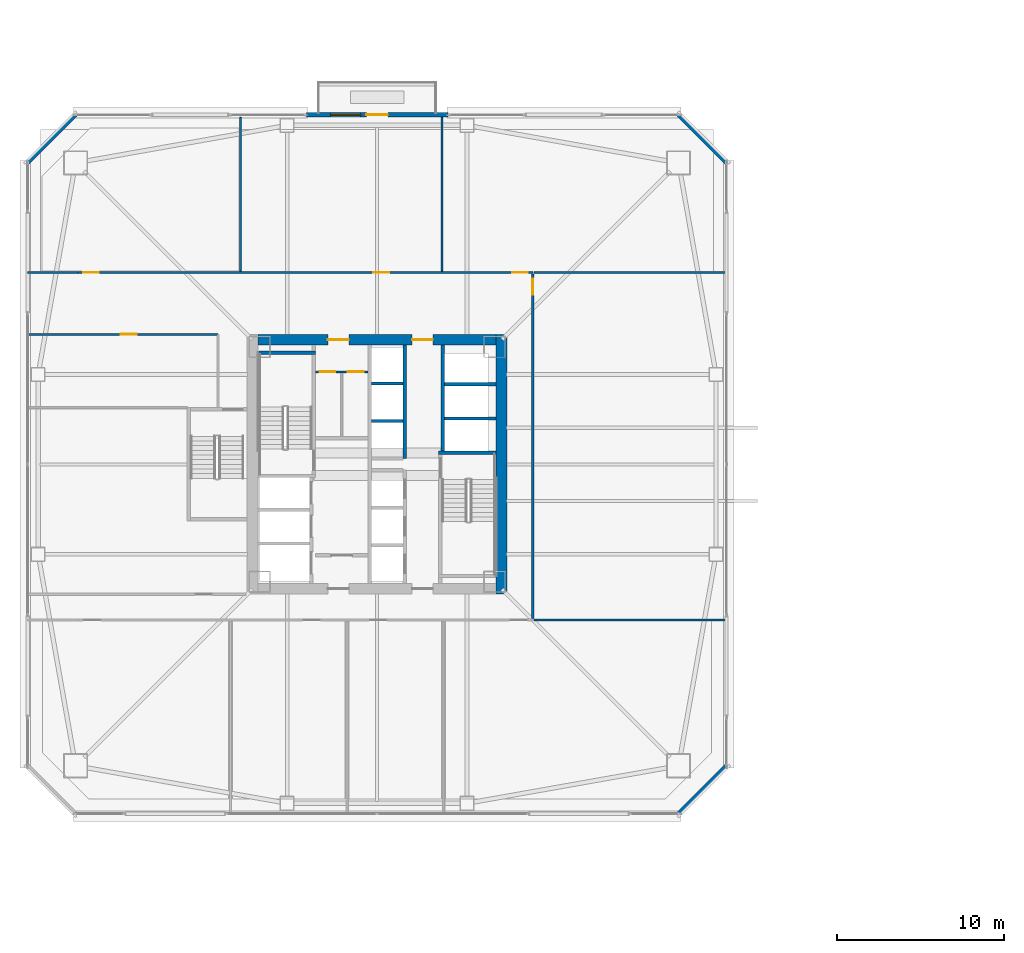
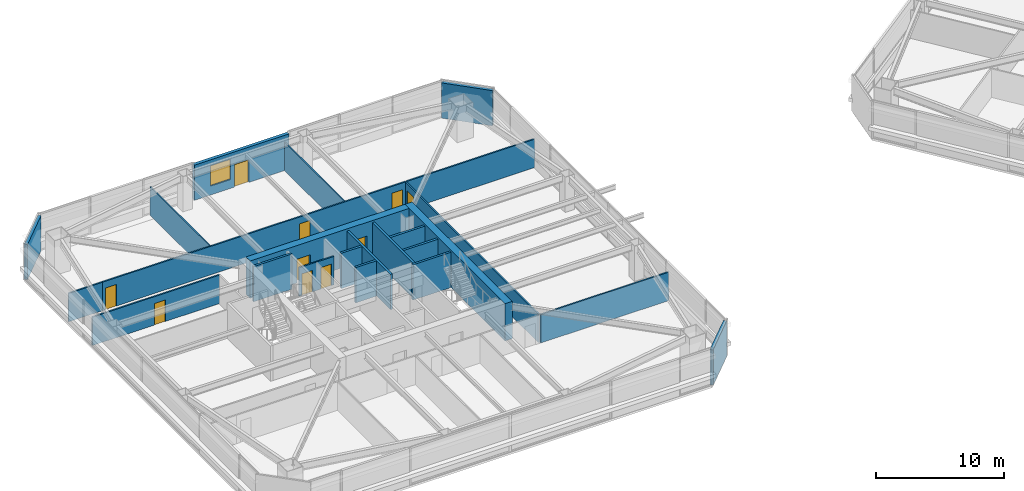
# One storey, part 37 of 47: 23 walls, 10 doors, 1 window, 11 openings.
"""IFC4 building model written with IfcOpenShell, lengths in metres."""

from ifc_helpers import new_model, si_unit, direction, frame, frame_2d, origin, place, context, subcontext, project, spatial, rectangle, extrude, material, layer, layer_set, type_object, element, fill, save


model = new_model("IFC4")

# Units and contexts
model_context = context("Model", 3, precision=1e-05, world=origin(), true_north=direction((0.0, 1.0)))
body_context = subcontext(model_context, "Body", "Model", "MODEL_VIEW")
ifc_project = project(units=[si_unit("LENGTHUNIT", "METRE"), si_unit("AREAUNIT", "SQUARE_METRE"), si_unit("VOLUMEUNIT", "CUBIC_METRE"), si_unit("PLANEANGLEUNIT", "RADIAN"), si_unit("MASSUNIT", "GRAM", prefix="KILO")], contexts=[model_context])

# Site, building, storey
site_placement = place(None, origin())
site = spatial("IfcSite", under=ifc_project, at=site_placement, CompositionType="ELEMENT")
building_placement = place(site_placement, origin())
building = spatial("IfcBuilding", under=site, at=building_placement, Name="Tashvorn Skyway Center", CompositionType="ELEMENT")
storey_placement = place(building_placement, frame((0.0, 0.0, 81.39990234375)))
storey = spatial("IfcBuildingStorey", under=building, at=storey_placement, Name="L21", CompositionType="ELEMENT", Elevation=81.39990234375)

# Wall
ifc_material_1 = material(Name="Concrete C60/75", Category="concrete")
ifc_layer_1 = layer(ifc_material_1, 0.64990234375)
ifc_layer_set_1 = layer_set([ifc_layer_1], Name="Concrete C60/75")
wall_type_1 = type_object("IfcWallType", Name="WALL-CORE-650", PredefinedType="SHEAR", material=ifc_layer_set_1)
wall_1_placement = place(storey_placement, frame((49.47509765625, 39.800048828125, 0.0), z_axis=(0.0, 0.0, 1.0), x_axis=(0.0, -1.0, 0.0)))
element("IfcWall", 1, at=wall_1_placement, inside=storey, type_object=wall_type_1, Name="Tower 1 L21 East Core Shear Wall", PredefinedType="SHEAR", context=body_context, shape_type="SweptSolid", body=[
    extrude(rectangle(XDim=15.60009765625, YDim=0.64990234375, at=frame_2d((7.800048828125, 0.0))), origin(), (0.0, 0.0, 1.0), 3.550048828125),
])

# Wall, openings, doors
wall_2_placement = place(storey_placement, frame((34.85009765625, 39.47509765625, 0.0), z_axis=(0.0, 0.0, 1.0), x_axis=(1.0, 0.0, 0.0)))
wall_2 = element("IfcWall", 2, at=wall_2_placement, inside=storey, type_object=wall_type_1, Name="Tower 1 L21 North Core Shear Wall", PredefinedType="SHEAR", context=body_context, shape_type="SweptSolid", body=[
    extrude(rectangle(XDim=14.2998046875, YDim=0.64990234375, at=frame_2d((7.14990234375, 0.0))), origin(), (0.0, 0.0, 1.0), 3.550048828125),
])
opening_1_placement = place(wall_2_placement, frame((4.199951171875, 0.0, 0.0)))
opening_1 = element("IfcOpeningElement", 3, at=opening_1_placement, cuts=wall_2, Name="Opening D-FFL-1250", PredefinedType="OPENING", context=body_context, shape_type="SweptSolid", body=[
    extrude(rectangle(XDim=1.25, YDim=2.25, at=frame_2d((0.625, 1.125))), frame((0.0, 0.3349609375, 0.0), z_axis=(0.0, -1.0, 0.0), x_axis=(1.0, 0.0, 0.0)), (0.0, 0.0, 1.0), 0.669921875),
])
opening_2_placement = place(wall_2_placement, frame((9.25, 0.0, 0.0)))
opening_2 = element("IfcOpeningElement", 4, at=opening_2_placement, cuts=wall_2, Name="Opening D-FFL-1250", PredefinedType="OPENING", context=body_context, shape_type="SweptSolid", body=[
    extrude(rectangle(XDim=1.25, YDim=2.25, at=frame_2d((0.625, 1.125))), frame((0.0, 0.3349609375, 0.0), z_axis=(0.0, -1.0, 0.0), x_axis=(1.0, 0.0, 0.0)), (0.0, 0.0, 1.0), 0.669921875),
])
ifc_material_2 = material(Name="Hollow galvanized steel fire door assembly", Category="steel")
door_type_1 = type_object("IfcDoorType", Name="DOOR-FFL-1250", OperationType="NOTDEFINED", PredefinedType="DOOR", material=ifc_material_2)
door_1_placement = place(opening_1_placement, origin())
door_1 = element("IfcDoor", 5, at=door_1_placement, inside=storey, type_object=door_type_1, Name="Tower 1 L21 Core North Service Lobby Door", OperationType="SINGLE_SWING_LEFT", OverallHeight=2.25, OverallWidth=1.25, PredefinedType="DOOR", context=body_context, shape_type="SweptSolid", body=[
    extrude(rectangle(XDim=1.25, YDim=2.25, at=frame_2d((0.625, 1.125))), frame((0.0, 0.02490234375, 0.0), z_axis=(0.0, -1.0, 0.0), x_axis=(1.0, 0.0, 0.0)), (0.0, 0.0, 1.0), 0.050048828125),
])
fill(opening_1, door_1)
door_2_placement = place(opening_2_placement, origin())
door_2 = element("IfcDoor", 6, at=door_2_placement, inside=storey, type_object=door_type_1, Name="Tower 1 L21 Core North Lift Lobby Door", OperationType="SINGLE_SWING_RIGHT", OverallHeight=2.25, OverallWidth=1.25, PredefinedType="DOOR", context=body_context, shape_type="SweptSolid", body=[
    extrude(rectangle(XDim=1.25, YDim=2.25, at=frame_2d((0.625, 1.125))), frame((0.0, 0.02490234375, 0.0), z_axis=(0.0, -1.0, 0.0), x_axis=(1.0, 0.0, 0.0)), (0.0, 0.0, 1.0), 0.050048828125),
])
fill(opening_2, door_2)

# Wall, openings, door, window
ifc_material_3 = material(Name="Precast concrete C40/50", Category="concrete")
ifc_layer_2 = layer(ifc_material_3, 0.280029296875)
ifc_layer_set_2 = layer_set([ifc_layer_2], Name="Precast concrete C40/50")
wall_type_2 = type_object("IfcWallType", Name="WALL-EXT-280", PredefinedType="SOLIDWALL", material=ifc_layer_set_2)
wall_3_placement = place(storey_placement, frame((37.75, 52.97998046875, 0.0), z_axis=(0.0, 0.0, 1.0), x_axis=(1.0, 0.0, 0.0)))
wall_3 = element("IfcWall", 7, at=wall_3_placement, inside=storey, type_object=wall_type_2, Name="Tower 1 L21 North Terrace Portal Wall", PredefinedType="SOLIDWALL", context=body_context, shape_type="SweptSolid", body=[
    extrude(rectangle(XDim=8.5, YDim=0.280029296875, at=frame_2d((4.25, 0.0))), origin(), (0.0, 0.0, 1.0), 3.35009765625),
])
opening_3_placement = place(wall_3_placement, frame((3.60009765625, 0.0, 0.0)))
opening_3 = element("IfcOpeningElement", 8, at=opening_3_placement, cuts=wall_3, Name="Opening D-TER-1300", PredefinedType="OPENING", context=body_context, shape_type="SweptSolid", body=[
    extrude(rectangle(XDim=1.300048828125, YDim=2.14990234375, at=frame_2d((0.64990234375, 1.074951171875))), frame((0.0, 0.14990234375, 0.0), z_axis=(0.0, -1.0, 0.0), x_axis=(1.0, 0.0, 0.0)), (0.0, 0.0, 1.0), 0.300048828125),
])
opening_4_placement = place(wall_3_placement, frame((1.4599609375, 0.0, 0.85009765625)))
opening_4 = element("IfcOpeningElement", 9, at=opening_4_placement, cuts=wall_3, Name="Opening WIN-1800", PredefinedType="OPENING", context=body_context, shape_type="SweptSolid", body=[
    extrude(rectangle(XDim=1.800048828125, YDim=1.919921875, at=frame_2d((0.89990234375, 0.9599609375))), frame((0.0, 0.14990234375, 0.0), z_axis=(0.0, -1.0, 0.0), x_axis=(1.0, 0.0, 0.0)), (0.0, 0.0, 1.0), 0.300048828125),
])
ifc_material_4 = material(Name="Thermally broken bronze-anodized aluminium 6063-T6", Category="aluminium")
door_type_2 = type_object("IfcDoorType", Name="DOOR-TERR-1300", OperationType="NOTDEFINED", PredefinedType="DOOR", material=ifc_material_4)
door_3_placement = place(opening_3_placement, origin())
door_3 = element("IfcDoor", 10, at=door_3_placement, inside=storey, type_object=door_type_2, Name="Tower 1 L21 Terrace Access Door", OperationType="SINGLE_SWING_LEFT", OverallHeight=2.14990234375, OverallWidth=1.300048828125, PredefinedType="DOOR", context=body_context, shape_type="SweptSolid", body=[
    extrude(rectangle(XDim=1.300048828125, YDim=2.14990234375, at=frame_2d((0.64990234375, 1.074951171875))), frame((0.0, 0.02490234375, 0.0), z_axis=(0.0, -1.0, 0.0), x_axis=(1.0, 0.0, 0.0)), (0.0, 0.0, 1.0), 0.050048828125),
])
fill(opening_3, door_3)
ifc_material_5 = material(Name="Low-E solar-control double insulating safety glass", Category="glass")
window_type = type_object("IfcWindowType", Name="WIN-TERR-1800", PartitioningType="SINGLE_PANEL", PredefinedType="WINDOW", material=ifc_material_5)
window_placement = place(opening_4_placement, origin())
window = element("IfcWindow", 11, at=window_placement, inside=storey, type_object=window_type, Name="Tower 1 L21 Terrace Window", OverallHeight=1.919921875, OverallWidth=1.800048828125, PartitioningType="SINGLE_PANEL", PredefinedType="WINDOW", context=body_context, shape_type="SweptSolid", body=[
    extrude(rectangle(XDim=1.800048828125, YDim=1.919921875, at=frame_2d((0.89990234375, 0.9599609375))), frame((0.0, 0.030029296875, 0.0), z_axis=(0.0, -1.0, 0.0), x_axis=(1.0, 0.0, 0.0)), (0.0, 0.0, 1.0), 0.06005859375),
])
fill(opening_4, window)

# Walls
for number, where, z_axis, x_axis, name in (
    (12, (21.0, 50.10009765625, 0.0), (0.0, 0.0, 1.0), (0.707106781187, 0.707106781187, 0.0), "Tower 1 L21 NW Precast Chamfer Wall"),
    (13, (60.10009765625, 53.0, 0.0), (0.0, 0.0, 1.0), (0.707106781187, -0.707106781187, 0.0), "Tower 1 L21 NE Precast Chamfer Wall"),
    (14, (63.0, 13.89990234375, 0.0), (0.0, 0.0, 1.0), (-0.707106781187, -0.707106781187, 0.0), "Tower 1 L21 SE Precast Chamfer Wall"),
):
    element("IfcWall", number, at=place(storey_placement, frame(where, z_axis=z_axis, x_axis=x_axis)), inside=storey, type_object=wall_type_2, Name=name, PredefinedType="SOLIDWALL", context=body_context, shape_type="SweptSolid", body=[
        extrude(rectangle(XDim=4.10107421875, YDim=0.280029296875, at=frame_2d((2.050537109375, 0.0))), origin(), (0.0, 0.0, 1.0), 3.35009765625),
    ])
ifc_material_6 = material(Name="Gypsum board on cold-formed steel stud framing", Category="steel")
ifc_layer_3 = layer(ifc_material_6, 0.110107421875)
ifc_layer_set_3 = layer_set([ifc_layer_3], Name="Gypsum board on cold-formed steel stud framing")
wall_type_3 = type_object("IfcWallType", Name="WALL-PART-110", PredefinedType="PARTITIONING", material=ifc_layer_set_3)
for number, where, z_axis, x_axis, name in (
    (15, (33.800048828125, 43.60009765625, 0.0), (0.0, 0.0, 1.0), (0.0, 1.0, 0.0), "Tower 1 L21 North Suite Partition 1"),
    (16, (45.89990234375, 43.60009765625, 0.0), (0.0, 0.0, 1.0), (0.0, 1.0, 0.0), "Tower 1 L21 North Suite Partition 2"),
):
    element("IfcWall", number, at=place(storey_placement, frame(where, z_axis=z_axis, x_axis=x_axis)), inside=storey, type_object=wall_type_3, Name=name, PredefinedType="PARTITIONING", context=body_context, shape_type="SweptSolid", body=[
        extrude(rectangle(XDim=9.22998046875, YDim=0.110107421875, at=frame_2d((4.614990234375, 0.0))), origin(), (0.0, 0.0, 1.0), 2.703125),
    ])

# Wall, openings, doors
ifc_layer_4 = layer(ifc_material_6, 0.135009765625)
ifc_layer_set_4 = layer_set([ifc_layer_4], Name="Gypsum board on cold-formed steel stud framing")
wall_type_4 = type_object("IfcWallType", Name="WALL-PART-135", PredefinedType="PARTITIONING", material=ifc_layer_set_4)
wall_4_placement = place(storey_placement, frame((24.050048828125, 43.52001953125, 0.0), z_axis=(0.0, 0.0, 1.0), x_axis=(1.0, 0.0, 0.0)))
wall_4 = element("IfcWall", 17, at=wall_4_placement, inside=storey, type_object=wall_type_4, Name="Tower 1 L21 North Suite Wall", PredefinedType="PARTITIONING", context=body_context, shape_type="SweptSolid", body=[
    extrude(rectangle(XDim=27.300048828125, YDim=0.135009765625, at=frame_2d((13.64990234375, 0.0))), origin(), (0.0, 0.0, 1.0), 2.703125),
])
opening_5_placement = place(wall_4_placement, frame((0.300048828125, 0.0, 0.0)))
opening_5 = element("IfcOpeningElement", 18, at=opening_5_placement, cuts=wall_4, Name="Opening D-INT-950", PredefinedType="OPENING", context=body_context, shape_type="SweptSolid", body=[
    extrude(rectangle(XDim=0.949951171875, YDim=2.050048828125, at=frame_2d((0.47509765625, 1.02490234375))), frame((0.0, 0.077392578125, 0.0), z_axis=(0.0, -1.0, 0.0), x_axis=(1.0, 0.0, 0.0)), (0.0, 0.0, 1.0), 0.155029296875),
])
opening_6_placement = place(wall_4_placement, frame((17.732421875, 0.0, 0.0)))
opening_6 = element("IfcOpeningElement", 19, at=opening_6_placement, cuts=wall_4, Name="Opening D-INT-950", PredefinedType="OPENING", context=body_context, shape_type="SweptSolid", body=[
    extrude(rectangle(XDim=0.949951171875, YDim=2.050048828125, at=frame_2d((0.47509765625, 1.02490234375))), frame((0.0, 0.077392578125, 0.0), z_axis=(0.0, -1.0, 0.0), x_axis=(1.0, 0.0, 0.0)), (0.0, 0.0, 1.0), 0.155029296875),
])
opening_7_placement = place(wall_4_placement, frame((26.050048828125, 0.0, 0.0)))
opening_7 = element("IfcOpeningElement", 20, at=opening_7_placement, cuts=wall_4, Name="Opening D-INT-950", PredefinedType="OPENING", context=body_context, shape_type="SweptSolid", body=[
    extrude(rectangle(XDim=0.949951171875, YDim=2.050048828125, at=frame_2d((0.47509765625, 1.02490234375))), frame((0.0, 0.077392578125, 0.0), z_axis=(0.0, -1.0, 0.0), x_axis=(1.0, 0.0, 0.0)), (0.0, 0.0, 1.0), 0.155029296875),
])
ifc_material_7 = material(Name="Solid-core architectural oak veneer door")
door_type_3 = type_object("IfcDoorType", Name="DOOR-INT-950", OperationType="NOTDEFINED", PredefinedType="DOOR", material=ifc_material_7)
door_4_placement = place(opening_5_placement, origin())
door_4 = element("IfcDoor", 21, at=door_4_placement, inside=storey, type_object=door_type_3, Name="Tower 1 L21 Executive Suite Door", OperationType="SINGLE_SWING_RIGHT", OverallHeight=2.050048828125, OverallWidth=0.949951171875, PredefinedType="DOOR", context=body_context, shape_type="SweptSolid", body=[
    extrude(rectangle(XDim=0.949951171875, YDim=2.050048828125, at=frame_2d((0.47509765625, 1.02490234375))), frame((0.0, 0.02490234375, 0.0), z_axis=(0.0, -1.0, 0.0), x_axis=(1.0, 0.0, 0.0)), (0.0, 0.0, 1.0), 0.050048828125),
])
fill(opening_5, door_4)
door_5_placement = place(opening_6_placement, origin())
door_5 = element("IfcDoor", 22, at=door_5_placement, inside=storey, type_object=door_type_3, Name="Tower 1 L21 Executive Suite Door", OperationType="SINGLE_SWING_LEFT", OverallHeight=2.050048828125, OverallWidth=0.949951171875, PredefinedType="DOOR", context=body_context, shape_type="SweptSolid", body=[
    extrude(rectangle(XDim=0.949951171875, YDim=2.050048828125, at=frame_2d((0.47509765625, 1.02490234375))), frame((0.0, 0.02490234375, 0.0), z_axis=(0.0, -1.0, 0.0), x_axis=(1.0, 0.0, 0.0)), (0.0, 0.0, 1.0), 0.050048828125),
])
fill(opening_6, door_5)
door_6_placement = place(opening_7_placement, origin())
door_6 = element("IfcDoor", 23, at=door_6_placement, inside=storey, type_object=door_type_3, Name="Tower 1 L21 Catering Pantry Door", OperationType="SINGLE_SWING_RIGHT", OverallHeight=2.050048828125, OverallWidth=0.949951171875, PredefinedType="DOOR", context=body_context, shape_type="SweptSolid", body=[
    extrude(rectangle(XDim=0.949951171875, YDim=2.050048828125, at=frame_2d((0.47509765625, 1.02490234375))), frame((0.0, 0.02490234375, 0.0), z_axis=(0.0, -1.0, 0.0), x_axis=(1.0, 0.0, 0.0)), (0.0, 0.0, 1.0), 0.050048828125),
])
fill(opening_7, door_6)

# Wall
wall_5_placement = place(storey_placement, frame((21.02001953125, 43.52001953125, 0.0), z_axis=(0.0, 0.0, 1.0), x_axis=(1.0, 0.0, 0.0)))
element("IfcWall", 24, at=wall_5_placement, inside=storey, type_object=wall_type_4, Name="Tower 1 L21 North-West Suite South Wall", PredefinedType="PARTITIONING", context=body_context, shape_type="SweptSolid", body=[
    extrude(rectangle(XDim=3.030029296875, YDim=0.135009765625, at=frame_2d((1.51513671875, 0.0))), origin(), (0.0, 0.0, 1.0), 2.703125),
])

# Wall, opening, door
wall_6_placement = place(storey_placement, frame((51.35009765625, 43.43994140625, 0.0), z_axis=(0.0, 0.0, 1.0), x_axis=(0.0, -1.0, 0.0)))
wall_6 = element("IfcWall", 25, at=wall_6_placement, inside=storey, type_object=wall_type_4, Name="Tower 1 L21 East Inner Suite Wall", PredefinedType="PARTITIONING", context=body_context, shape_type="SweptSolid", body=[
    extrude(rectangle(XDim=20.7099609375, YDim=0.135009765625, at=frame_2d((10.35498046875, 0.0))), origin(), (0.0, 0.0, 1.0), 2.703125),
])
opening_8_placement = place(wall_6_placement, frame((0.300048828125, 0.0, 0.0)))
opening_8 = element("IfcOpeningElement", 26, at=opening_8_placement, cuts=wall_6, Name="Opening D-INT-950", PredefinedType="OPENING", context=body_context, shape_type="SweptSolid", body=[
    extrude(rectangle(XDim=0.949951171875, YDim=2.050048828125, at=frame_2d((0.47509765625, 1.02490234375))), frame((0.0, 0.077392578125, 0.0), z_axis=(0.0, -1.0, 0.0), x_axis=(1.0, 0.0, 0.0)), (0.0, 0.0, 1.0), 0.155029296875),
])
door_7_placement = place(opening_8_placement, origin())
door_7 = element("IfcDoor", 27, at=door_7_placement, inside=storey, type_object=door_type_3, Name="Tower 1 L21 Executive Suite Door", OperationType="SINGLE_SWING_LEFT", OverallHeight=2.050048828125, OverallWidth=0.949951171875, PredefinedType="DOOR", context=body_context, shape_type="SweptSolid", body=[
    extrude(rectangle(XDim=0.949951171875, YDim=2.050048828125, at=frame_2d((0.47509765625, 1.02490234375))), frame((0.0, 0.02490234375, 0.0), z_axis=(0.0, -1.0, 0.0), x_axis=(1.0, 0.0, 0.0)), (0.0, 0.0, 1.0), 0.050048828125),
])
fill(opening_8, door_7)

# Walls
for number, where, z_axis, x_axis, name in (
    (28, (62.97998046875, 43.52001953125, 0.0), (0.0, 0.0, 1.0), (-1.0, 0.0, 0.0), "Tower 1 L21 East Suite North Wall"),
    (29, (51.429931640625, 22.64990234375, 0.0), (0.0, 0.0, 1.0), (1.0, 0.0, 0.0), "Tower 1 L21 East Suite South Wall"),
):
    element("IfcWall", number, at=place(storey_placement, frame(where, z_axis=z_axis, x_axis=x_axis)), inside=storey, type_object=wall_type_4, Name=name, PredefinedType="PARTITIONING", context=body_context, shape_type="SweptSolid", body=[
        extrude(rectangle(XDim=11.550048828125, YDim=0.135009765625, at=frame_2d((5.77490234375, 0.0))), origin(), (0.0, 0.0, 1.0), 2.703125),
    ])

# Wall, opening, door
wall_7_placement = place(storey_placement, frame((32.449951171875, 39.800048828125, 0.0), z_axis=(0.0, 0.0, 1.0), x_axis=(-1.0, 0.0, 0.0)))
wall_7 = element("IfcWall", 30, at=wall_7_placement, inside=storey, type_object=wall_type_4, Name="Tower 1 L21 West Suite North Wall", PredefinedType="PARTITIONING", context=body_context, shape_type="SweptSolid", body=[
    extrude(rectangle(XDim=11.429931640625, YDim=0.135009765625, at=frame_2d((5.71484375, 0.0))), origin(), (0.0, 0.0, 1.0), 2.703125),
])
opening_9_placement = place(wall_7_placement, frame((4.889892578125, 0.0, 0.0)))
opening_9 = element("IfcOpeningElement", 31, at=opening_9_placement, cuts=wall_7, Name="Opening D-INT-950", PredefinedType="OPENING", context=body_context, shape_type="SweptSolid", body=[
    extrude(rectangle(XDim=0.949951171875, YDim=2.050048828125, at=frame_2d((0.47509765625, 1.02490234375))), frame((0.0, 0.077392578125, 0.0), z_axis=(0.0, -1.0, 0.0), x_axis=(1.0, 0.0, 0.0)), (0.0, 0.0, 1.0), 0.155029296875),
])
door_8_placement = place(opening_9_placement, origin())
door_8 = element("IfcDoor", 32, at=door_8_placement, inside=storey, type_object=door_type_3, Name="Tower 1 L21 Security Control Room Door", OperationType="SINGLE_SWING_RIGHT", OverallHeight=2.050048828125, OverallWidth=0.949951171875, PredefinedType="DOOR", context=body_context, shape_type="SweptSolid", body=[
    extrude(rectangle(XDim=0.949951171875, YDim=2.050048828125, at=frame_2d((0.47509765625, 1.02490234375))), frame((0.0, 0.02490234375, 0.0), z_axis=(0.0, -1.0, 0.0), x_axis=(1.0, 0.0, 0.0)), (0.0, 0.0, 1.0), 0.050048828125),
])
fill(opening_9, door_8)

# Wall, openings, doors
ifc_layer_5 = layer(ifc_material_6, 0.135009765625)
ifc_layer_set_5 = layer_set([ifc_layer_5], Name="Gypsum board on cold-formed steel stud framing")
wall_type_5 = type_object("IfcWallType", Name="WALL-RATED-135", PredefinedType="PARTITIONING", material=ifc_layer_set_5)
wall_8_placement = place(storey_placement, frame((38.300048828125, 37.550048828125, 0.0), z_axis=(0.0, 0.0, 1.0), x_axis=(1.0, 0.0, 0.0)))
wall_8 = element("IfcWall", 33, at=wall_8_placement, inside=storey, type_object=wall_type_5, Name="Tower 1 L21 Core Service Lobby Wall", PredefinedType="PARTITIONING", context=body_context, shape_type="SweptSolid", body=[
    extrude(rectangle(XDim=3.14990234375, YDim=0.135009765625, at=frame_2d((1.574951171875, 0.0))), origin(), (0.0, 0.0, 1.0), 2.703125),
])
opening_10_placement = place(wall_8_placement, frame((0.25, 0.0, 0.0)))
opening_10 = element("IfcOpeningElement", 34, at=opening_10_placement, cuts=wall_8, Name="Opening D-RT-950", PredefinedType="OPENING", context=body_context, shape_type="SweptSolid", body=[
    extrude(rectangle(XDim=0.949951171875, YDim=2.050048828125, at=frame_2d((0.47509765625, 1.02490234375))), frame((0.0, 0.077392578125, 0.0), z_axis=(0.0, -1.0, 0.0), x_axis=(1.0, 0.0, 0.0)), (0.0, 0.0, 1.0), 0.155029296875),
])
opening_11_placement = place(wall_8_placement, frame((1.949951171875, 0.0, 0.0)))
opening_11 = element("IfcOpeningElement", 35, at=opening_11_placement, cuts=wall_8, Name="Opening D-RT-950", PredefinedType="OPENING", context=body_context, shape_type="SweptSolid", body=[
    extrude(rectangle(XDim=0.949951171875, YDim=2.050048828125, at=frame_2d((0.47509765625, 1.02490234375))), frame((0.0, 0.077392578125, 0.0), z_axis=(0.0, -1.0, 0.0), x_axis=(1.0, 0.0, 0.0)), (0.0, 0.0, 1.0), 0.155029296875),
])
door_type_4 = type_object("IfcDoorType", Name="DOOR-RATED-950", OperationType="NOTDEFINED", PredefinedType="DOOR", material=ifc_material_2)
door_9_placement = place(opening_10_placement, origin())
door_9 = element("IfcDoor", 36, at=door_9_placement, inside=storey, type_object=door_type_4, Name="Tower 1 L21 Core Accessible WC Door", OperationType="SINGLE_SWING_LEFT", OverallHeight=2.050048828125, OverallWidth=0.949951171875, PredefinedType="DOOR", context=body_context, shape_type="SweptSolid", body=[
    extrude(rectangle(XDim=0.949951171875, YDim=2.050048828125, at=frame_2d((0.47509765625, 1.02490234375))), frame((0.0, 0.02490234375, 0.0), z_axis=(0.0, -1.0, 0.0), x_axis=(1.0, 0.0, 0.0)), (0.0, 0.0, 1.0), 0.050048828125),
])
fill(opening_10, door_9)
door_10_placement = place(opening_11_placement, origin())
door_10 = element("IfcDoor", 37, at=door_10_placement, inside=storey, type_object=door_type_4, Name="Tower 1 L21 Core Cleaner Store Door", OperationType="SINGLE_SWING_RIGHT", OverallHeight=2.050048828125, OverallWidth=0.949951171875, PredefinedType="DOOR", context=body_context, shape_type="SweptSolid", body=[
    extrude(rectangle(XDim=0.949951171875, YDim=2.050048828125, at=frame_2d((0.47509765625, 1.02490234375))), frame((0.0, 0.02490234375, 0.0), z_axis=(0.0, -1.0, 0.0), x_axis=(1.0, 0.0, 0.0)), (0.0, 0.0, 1.0), 0.050048828125),
])
fill(opening_11, door_10)

# Walls
ifc_material_8 = material(Name="Concrete C40/50", Category="concrete")
ifc_layer_6 = layer(ifc_material_8, 0.199951171875)
ifc_layer_set_6 = layer_set([ifc_layer_6], Name="Concrete C40/50")
wall_type_6 = type_object("IfcWallType", Name="WALL-SHAFT-200", PredefinedType="SOLIDWALL", material=ifc_layer_set_6)
for number, where, z_axis, x_axis, name in (
    (38, (46.050048828125, 34.75, 0.0), (0.0, 0.0, 1.0), (1.0, 0.0, 0.0), "Tower 1 L21 High-Rise Shaft Divider"),
    (39, (46.050048828125, 36.800048828125, 0.0), (0.0, 0.0, 1.0), (1.0, 0.0, 0.0), "Tower 1 L21 High-Rise Shaft Divider"),
):
    element("IfcWall", number, at=place(storey_placement, frame(where, z_axis=z_axis, x_axis=x_axis)), inside=storey, type_object=wall_type_6, Name=name, PredefinedType="SOLIDWALL", context=body_context, shape_type="SweptSolid", body=[
        extrude(rectangle(XDim=3.099853515625, YDim=0.199951171875, at=frame_2d((1.5498046875, 0.0))), origin(), (0.0, 0.0, 1.0), 3.35009765625),
    ])
wall_9_placement = place(storey_placement, frame((43.64990234375, 32.35009765625, 0.0), z_axis=(0.0, 0.0, 1.0), x_axis=(0.0, 1.0, 0.0)))
element("IfcWall", 40, at=wall_9_placement, inside=storey, type_object=wall_type_6, Name="Tower 1 L21 Mid-Rise Core Wall", PredefinedType="SOLIDWALL", context=body_context, shape_type="SweptSolid", body=[
    extrude(rectangle(XDim=6.7998046875, YDim=0.199951171875, at=frame_2d((3.39990234375, 0.0))), origin(), (0.0, 0.0, 1.0), 3.35009765625),
])
for number, where, z_axis, x_axis, name in (
    (41, (41.669921875, 34.60009765625, 0.0), (0.0, 0.0, 1.0), (1.0, 0.0, 0.0), "Tower 1 L21 Mid-Rise Shaft Divider"),
    (42, (41.669921875, 36.85009765625, 0.0), (0.0, 0.0, 1.0), (1.0, 0.0, 0.0), "Tower 1 L21 Mid-Rise Shaft Divider"),
):
    element("IfcWall", number, at=place(storey_placement, frame(where, z_axis=z_axis, x_axis=x_axis)), inside=storey, type_object=wall_type_6, Name=name, PredefinedType="SOLIDWALL", context=body_context, shape_type="SweptSolid", body=[
        extrude(rectangle(XDim=1.880126953125, YDim=0.199951171875, at=frame_2d((0.93994140625, 0.0))), origin(), (0.0, 0.0, 1.0), 3.35009765625),
    ])
ifc_layer_7 = layer(ifc_material_8, 0.199951171875)
ifc_layer_set_7 = layer_set([ifc_layer_7], Name="Concrete C40/50")
wall_type_7 = type_object("IfcWallType", Name="WALL-STSHF-200", PredefinedType="SHEAR", material=ifc_layer_set_7)
for number, where, z_axis, x_axis, name in (
    (43, (34.85009765625, 38.699951171875, 0.0), (0.0, 0.0, 1.0), (1.0, 0.0, 0.0), "Tower 1 L21 Stair 1 North Wall"),
    (44, (45.699951171875, 32.699951171875, 0.0), (0.0, 0.0, 1.0), (1.0, 0.0, 0.0), "Tower 1 L21 Stair 2 North Wall"),
):
    element("IfcWall", number, at=place(storey_placement, frame(where, z_axis=z_axis, x_axis=x_axis)), inside=storey, type_object=wall_type_7, Name=name, PredefinedType="SHEAR", context=body_context, shape_type="SweptSolid", body=[
        extrude(rectangle(XDim=3.449951171875, YDim=0.199951171875, at=frame_2d((1.72509765625, 0.0))), origin(), (0.0, 0.0, 1.0), 3.35009765625),
    ])
wall_10_placement = place(storey_placement, frame((45.949951171875, 39.14990234375, 0.0), z_axis=(0.0, 0.0, 1.0), x_axis=(0.0, -1.0, 0.0)))
element("IfcWall", 45, at=wall_10_placement, inside=storey, type_object=wall_type_7, Name="Tower 1 L21 High-Rise Lift Shaft Front Wall", PredefinedType="SHEAR", context=body_context, shape_type="SweptSolid", body=[
    extrude(rectangle(XDim=6.349853515625, YDim=0.199951171875, at=frame_2d((3.1748046875, 0.0))), origin(), (0.0, 0.0, 1.0), 3.35009765625),
])

save(model, "model.ifc")
